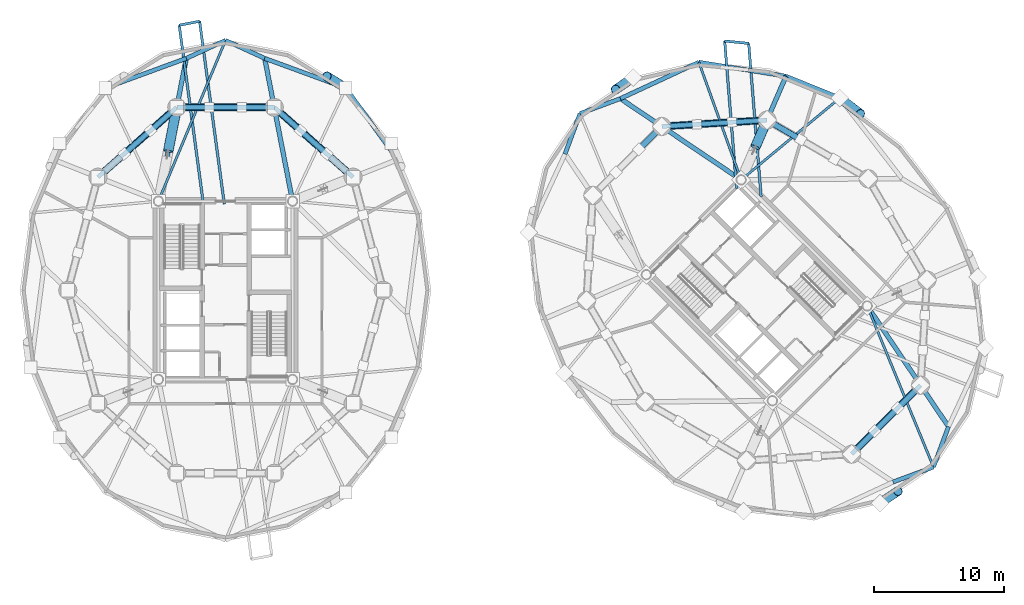
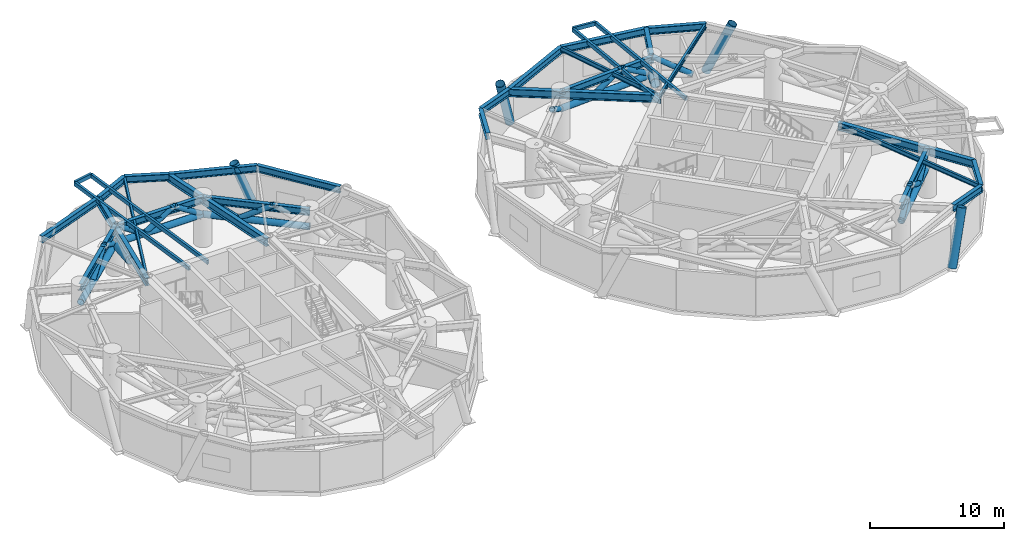
# One storey, part 4 of 16: 32 beams, 26 members.
"""IFC4 building model written with IfcOpenShell, lengths in metres."""

from ifc_helpers import new_model, si_unit, direction, frame, origin, origin_2d, place, context, subcontext, project, spatial, hollow_rectangle, hollow_circle, i_section, extrude, material, material_profile, profile_set, type_object, element, save


model = new_model("IFC4")

# Units and contexts
model_context = context("Model", 3, precision=1e-05, world=origin(), true_north=direction((0.0, 1.0)))
body_context = subcontext(model_context, "Body", "Model", "MODEL_VIEW")
ifc_project = project(units=[si_unit("LENGTHUNIT", "METRE"), si_unit("AREAUNIT", "SQUARE_METRE"), si_unit("VOLUMEUNIT", "CUBIC_METRE"), si_unit("PLANEANGLEUNIT", "RADIAN"), si_unit("MASSUNIT", "GRAM", prefix="KILO")], contexts=[model_context])

# Site, building, storey
site_placement = place(None, origin())
site = spatial("IfcSite", under=ifc_project, at=site_placement, CompositionType="ELEMENT")
building_placement = place(site_placement, origin())
building = spatial("IfcBuilding", under=site, at=building_placement, Name="Cununo Teusaquillo Station Towers", CompositionType="ELEMENT")
storey_placement = place(building_placement, frame((0.0, 0.0, 65.64990234375)))
storey = spatial("IfcBuildingStorey", under=building, at=storey_placement, Name="L20", CompositionType="ELEMENT", Elevation=65.64990234375)

# Beams
ifc_material_1 = material(Name="Steel EN 10025-2 S355J2", Category="steel")
ifc_material_profile_1 = material_profile(ifc_material_1, hollow_rectangle(XDim=0.199951171875, YDim=0.35009765625, WallThickness=0.013916015625, at=origin_2d()), Name="RHS 350x200x14")
ifc_profile_set_1 = profile_set([ifc_material_profile_1], Name="Steel EN 10025-2 S355J2")
beam_type_1 = type_object("IfcBeamType", Name="BM-BAL-CANT", PredefinedType="BEAM", material=ifc_profile_set_1)
beam_1_placement = place(storey_placement, frame((16.40869140625, 31.14990234375, 4.085205078125), z_axis=(-0.133936551357, 0.990989909237, 0.0), x_axis=(-0.990989909237, -0.133936551357, 0.0)))
element("IfcBeam", 1, at=beam_1_placement, inside=storey, type_object=beam_type_1, Name="L20 Tower A Balcony Cantilever Bracket 1A", PredefinedType="BEAM", context=body_context, shape_type="SweptSolid", body=[
    extrude(hollow_rectangle(XDim=0.199951171875, YDim=0.35009765625, WallThickness=0.013916015625, at=origin_2d()), origin(), (0.0, 0.0, 1.0), 14.24169921875),
])
beam_2_placement = place(storey_placement, frame((14.793701171875, 31.14990234375, 4.085205078125), z_axis=(-0.133960678738, 0.990986648019, 0.0), x_axis=(-0.990986648019, -0.133960678738, 0.0)))
element("IfcBeam", 2, at=beam_2_placement, inside=storey, type_object=beam_type_1, Name="L20 Tower A Balcony Cantilever Bracket 1B", PredefinedType="BEAM", context=body_context, shape_type="SweptSolid", body=[
    extrude(hollow_rectangle(XDim=0.199951171875, YDim=0.35009765625, WallThickness=0.013916015625, at=origin_2d()), origin(), (0.0, 0.0, 1.0), 13.9345703125),
])
beam_3_placement = place(storey_placement, frame((57.835205078125, 31.73095703125, 4.085205078125), z_axis=(-0.080635166538, 0.996743683159, 0.0), x_axis=(-0.996743683159, -0.080635166538, 0.0)))
element("IfcBeam", 3, at=beam_3_placement, inside=storey, type_object=beam_type_1, Name="L20 Tower B Balcony Cantilever Bracket 1A", PredefinedType="BEAM", context=body_context, shape_type="SweptSolid", body=[
    extrude(hollow_rectangle(XDim=0.199951171875, YDim=0.35009765625, WallThickness=0.013916015625, at=origin_2d()), origin(), (0.0, 0.0, 1.0), 11.862548828125),
])
beam_4_placement = place(storey_placement, frame((55.945068359375, 32.349609375, 4.085205078125), z_axis=(-0.080615645749, 0.996745262171, 0.0), x_axis=(-0.996745262171, -0.080615645749, 0.0)))
element("IfcBeam", 4, at=beam_4_placement, inside=storey, type_object=beam_type_1, Name="L20 Tower B Balcony Cantilever Bracket 1B", PredefinedType="BEAM", context=body_context, shape_type="SweptSolid", body=[
    extrude(hollow_rectangle(XDim=0.199951171875, YDim=0.35009765625, WallThickness=0.013916015625, at=origin_2d()), origin(), (0.0, 0.0, 1.0), 11.42626953125),
])
ifc_material_2 = material(Name="Steel ASTM A572 Grade 50", Category="steel")
ifc_material_profile_2 = material_profile(ifc_material_2, i_section(OverallWidth=0.180908203125, OverallDepth=0.4169921875, WebThickness=0.010986328125, FlangeThickness=0.018310546875, FilletRadius=0.012939453125, at=origin_2d()), Name="W16X57")
ifc_profile_set_2 = profile_set([ifc_material_profile_2], Name="Steel ASTM A572 Grade 50")
beam_type_2 = type_object("IfcBeamType", Name="BM-JOIST-1", PredefinedType="JOIST", material=ifc_profile_set_2)
beam_5_placement = place(storey_placement, frame((11.324951171875, 31.3798828125, 4.051513671875), z_axis=(0.38487837995, 0.922967297713, 0.0), x_axis=(-0.922967297713, 0.38487837995, 0.0)))
element("IfcBeam", 5, at=beam_5_placement, inside=storey, type_object=beam_type_2, Name="L20 Tower A Radial Spandrel Joist V05", PredefinedType="JOIST", context=body_context, shape_type="SweptSolid", body=[
    extrude(i_section(OverallWidth=0.180908203125, OverallDepth=0.4169921875, WebThickness=0.010986328125, FlangeThickness=0.018310546875, FilletRadius=0.012939453125, at=origin_2d()), origin(), (0.0, 0.0, 1.0), 13.446044921875),
])
beam_6_placement = place(storey_placement, frame((56.29443359375, 33.024169921875, 4.051513671875), z_axis=(0.769727799615, 0.638372238196, 0.0), x_axis=(-0.638372238196, 0.769727799615, 0.0)))
element("IfcBeam", 6, at=beam_6_placement, inside=storey, type_object=beam_type_2, Name="L20 Tower B Radial Spandrel Joist V01", PredefinedType="JOIST", context=body_context, shape_type="SweptSolid", body=[
    extrude(i_section(OverallWidth=0.180908203125, OverallDepth=0.4169921875, WebThickness=0.010986328125, FlangeThickness=0.018310546875, FilletRadius=0.012939453125, at=origin_2d()), origin(), (0.0, 0.0, 1.0), 9.895263671875),
])
beam_7_placement = place(storey_placement, frame((56.29443359375, 33.024169921875, 4.051513671875), z_axis=(-0.338176312038, 0.941082771055, 0.0), x_axis=(-0.941082771055, -0.338176312038, 0.0)))
element("IfcBeam", 7, at=beam_7_placement, inside=storey, type_object=beam_type_2, Name="L20 Tower B Radial Spandrel Joist V03", PredefinedType="JOIST", context=body_context, shape_type="SweptSolid", body=[
    extrude(i_section(OverallWidth=0.180908203125, OverallDepth=0.4169921875, WebThickness=0.010986328125, FlangeThickness=0.018310546875, FilletRadius=0.012939453125, at=origin_2d()), origin(), (0.0, 0.0, 1.0), 9.646484375),
])
beam_8_placement = place(storey_placement, frame((66.024169921875, 23.29443359375, 4.051513671875), z_axis=(0.380485864505, -0.924786735908, 0.0), x_axis=(0.924786735908, 0.380485864505, 0.0)))
element("IfcBeam", 8, at=beam_8_placement, inside=storey, type_object=beam_type_2, Name="L20 Tower B Radial Spandrel Joist V15", PredefinedType="JOIST", context=body_context, shape_type="SweptSolid", body=[
    extrude(i_section(OverallWidth=0.180908203125, OverallDepth=0.4169921875, WebThickness=0.010986328125, FlangeThickness=0.018310546875, FilletRadius=0.012939453125, at=origin_2d()), origin(), (0.0, 0.0, 1.0), 13.44580078125),
])
ifc_material_3 = material(Name="Steel ASTM A572 Grade 50", Category="steel")
ifc_material_profile_3 = material_profile(ifc_material_3, i_section(OverallWidth=0.35498046875, OverallDepth=0.696044921875, WebThickness=0.015380859375, FlangeThickness=0.02490234375, FilletRadius=0.01806640625, at=origin_2d()), Name="W27X146")
ifc_profile_set_3 = profile_set([ifc_material_profile_3], Name="Steel ASTM A572 Grade 50")
beam_type_3 = type_object("IfcBeamType", Name="BM-PLNT-G1", PredefinedType="BEAM", material=ifc_profile_set_3)
for number, where, z_axis, x_axis, name in (
    (9, (21.675048828125, 31.3798828125, 3.912109375), (-0.191552755713, 0.981482318628, 0.0), (-0.981482318628, -0.191552755713, 0.0), "L20 Tower A Continuous Overhanging Radial Girder 03"),
    (10, (11.324951171875, 31.3798828125, 3.912109375), (0.191552755713, 0.981482318628, 0.0), (-0.981482318628, 0.191552755713, 0.0), "L20 Tower A Continuous Overhanging Radial Girder 04"),
):
    element("IfcBeam", number, at=place(storey_placement, frame(where, z_axis=z_axis, x_axis=x_axis)), inside=storey, type_object=beam_type_3, Name=name, PredefinedType="BEAM", context=body_context, shape_type="SweptSolid", body=[
        extrude(i_section(OverallWidth=0.35498046875, OverallDepth=0.696044921875, WebThickness=0.015380859375, FlangeThickness=0.02490234375, FilletRadius=0.01806640625, at=origin_2d()), origin(), (0.0, 0.0, 1.0), 11.22998046875),
    ])
beam_9_placement = place(storey_placement, frame((58.291015625, 37.63525390625, 3.912109375), z_axis=(0.397421761279, 0.917636062751, 0.0), x_axis=(-0.917636062751, 0.397421761279, 0.0)))
element("IfcBeam", 11, at=beam_9_placement, inside=storey, type_object=beam_type_3, Name="L20 Tower B Perimeter Overhang Girder 02B", PredefinedType="BEAM", context=body_context, shape_type="SweptSolid", body=[
    extrude(i_section(OverallWidth=0.35498046875, OverallDepth=0.696044921875, WebThickness=0.015380859375, FlangeThickness=0.02490234375, FilletRadius=0.01806640625, at=origin_2d()), origin(), (0.0, 0.0, 1.0), 3.690185546875),
])
for number, where, z_axis, x_axis, name in (
    (12, (56.29443359375, 33.024169921875, 3.912109375), (-0.82945583878, 0.558572297481, 0.0), (-0.558572297481, -0.82945583878, 0.0), "L20 Tower B Continuous Overhanging Radial Girder 03"),
    (13, (66.024169921875, 23.29443359375, 3.912109375), (0.558572297481, -0.82945583878, 0.0), (0.82945583878, 0.558572297481, 0.0), "L20 Tower B Continuous Overhanging Radial Girder 09"),
):
    element("IfcBeam", number, at=place(storey_placement, frame(where, z_axis=z_axis, x_axis=x_axis)), inside=storey, type_object=beam_type_3, Name=name, PredefinedType="BEAM", context=body_context, shape_type="SweptSolid", body=[
        extrude(i_section(OverallWidth=0.35498046875, OverallDepth=0.696044921875, WebThickness=0.015380859375, FlangeThickness=0.02490234375, FilletRadius=0.01806640625, at=origin_2d()), origin(), (0.0, 0.0, 1.0), 11.22998046875),
    ])
ifc_material_4 = material(Name="Steel ASTM A572 Grade 50", Category="steel")
ifc_material_profile_4 = material_profile(ifc_material_4, i_section(OverallWidth=0.324951171875, OverallDepth=0.615966796875, WebThickness=0.013916015625, FlangeThickness=0.021484375, FilletRadius=0.01611328125, at=origin_2d()), Name="W24X117")
ifc_profile_set_4 = profile_set([ifc_material_profile_4], Name="Steel ASTM A572 Grade 50")
beam_type_4 = type_object("IfcBeamType", Name="BM-PLNT-G2", PredefinedType="BEAM", material=ifc_profile_set_4)
beam_10_placement = place(storey_placement, frame((26.347412109375, 33.228515625, 3.9521484375), z_axis=(-0.74832120039, 0.66333655187, 0.0), x_axis=(-0.66333655187, -0.74832120039, 0.0)))
element("IfcBeam", 14, at=beam_10_placement, inside=storey, type_object=beam_type_4, Name="L20 Tower A Structural Column Ring Girder 02", PredefinedType="BEAM", context=body_context, shape_type="SweptSolid", body=[
    extrude(i_section(OverallWidth=0.324951171875, OverallDepth=0.615966796875, WebThickness=0.013916015625, FlangeThickness=0.021484375, FilletRadius=0.01611328125, at=origin_2d()), origin(), (0.0, 0.0, 1.0), 8.1328125),
])
beam_11_placement = place(storey_placement, frame((20.261474609375, 38.623291015625, 3.9521484375), z_axis=(-1.0, 0.0, 0.0), x_axis=(0.0, -1.0, 0.0)))
element("IfcBeam", 15, at=beam_11_placement, inside=storey, type_object=beam_type_4, Name="L20 Tower A Structural Column Ring Girder 03", PredefinedType="BEAM", context=body_context, shape_type="SweptSolid", body=[
    extrude(i_section(OverallWidth=0.324951171875, OverallDepth=0.615966796875, WebThickness=0.013916015625, FlangeThickness=0.021484375, FilletRadius=0.01611328125, at=origin_2d()), origin(), (0.0, 0.0, 1.0), 7.52294921875),
])
beam_12_placement = place(storey_placement, frame((12.738525390625, 38.623291015625, 3.9521484375), z_axis=(-0.74832120039, -0.66333655187, 0.0), x_axis=(0.66333655187, -0.74832120039, 0.0)))
element("IfcBeam", 16, at=beam_12_placement, inside=storey, type_object=beam_type_4, Name="L20 Tower A Structural Column Ring Girder 04", PredefinedType="BEAM", context=body_context, shape_type="SweptSolid", body=[
    extrude(i_section(OverallWidth=0.324951171875, OverallDepth=0.615966796875, WebThickness=0.013916015625, FlangeThickness=0.021484375, FilletRadius=0.01611328125, at=origin_2d()), origin(), (0.0, 0.0, 1.0), 8.1328125),
])
beam_13_placement = place(storey_placement, frame((29.77880859375, 34.586181640625, 3.9521484375), z_axis=(-0.58594455724, 0.810351143543, 0.0), x_axis=(-0.810351143543, -0.58594455724, 0.0)))
element("IfcBeam", 17, at=beam_13_placement, inside=storey, type_object=beam_type_4, Name="L20 Tower A Spandrel Ring Beam 03", PredefinedType="BEAM", context=body_context, shape_type="SweptSolid", body=[
    extrude(i_section(OverallWidth=0.324951171875, OverallDepth=0.615966796875, WebThickness=0.013916015625, FlangeThickness=0.021484375, FilletRadius=0.01611328125, at=origin_2d()), origin(), (0.0, 0.0, 1.0), 6.8115234375),
])
beam_14_placement = place(storey_placement, frame((25.78759765625, 40.10595703125, 3.9521484375), z_axis=(-0.938914161016, 0.34415141761, 0.0), x_axis=(-0.34415141761, -0.938914161016, 0.0)))
element("IfcBeam", 18, at=beam_14_placement, inside=storey, type_object=beam_type_4, Name="L20 Tower A Spandrel Ring Beam 04", PredefinedType="BEAM", context=body_context, shape_type="SweptSolid", body=[
    extrude(i_section(OverallWidth=0.324951171875, OverallDepth=0.615966796875, WebThickness=0.013916015625, FlangeThickness=0.021484375, FilletRadius=0.01611328125, at=origin_2d()), origin(), (0.0, 0.0, 1.0), 6.671142578125),
])
for number, where, z_axis, x_axis, name in (
    (19, (19.52392578125, 42.40185546875, 3.9521484375), (-0.908812215281, 0.417205413862, 0.0), (-0.417205413862, -0.908812215281, 0.0), "L20 Tower A Spandrel Ring Beam 05"),
    (20, (16.5, 43.7900390625, 3.9521484375), (-0.908812215281, -0.417205413862, 0.0), (0.417205413862, -0.908812215281, 0.0), "L20 Tower A Spandrel Ring Beam 06"),
):
    element("IfcBeam", number, at=place(storey_placement, frame(where, z_axis=z_axis, x_axis=x_axis)), inside=storey, type_object=beam_type_4, Name=name, PredefinedType="BEAM", context=body_context, shape_type="SweptSolid", body=[
        extrude(i_section(OverallWidth=0.324951171875, OverallDepth=0.615966796875, WebThickness=0.013916015625, FlangeThickness=0.021484375, FilletRadius=0.01611328125, at=origin_2d()), origin(), (0.0, 0.0, 1.0), 3.327392578125),
    ])
beam_15_placement = place(storey_placement, frame((13.47607421875, 42.40185546875, 3.9521484375), z_axis=(-0.938914161016, -0.34415141761, 0.0), x_axis=(0.34415141761, -0.938914161016, 0.0)))
element("IfcBeam", 21, at=beam_15_placement, inside=storey, type_object=beam_type_4, Name="L20 Tower A Spandrel Ring Beam 07", PredefinedType="BEAM", context=body_context, shape_type="SweptSolid", body=[
    extrude(i_section(OverallWidth=0.324951171875, OverallDepth=0.615966796875, WebThickness=0.013916015625, FlangeThickness=0.021484375, FilletRadius=0.01611328125, at=origin_2d()), origin(), (0.0, 0.0, 1.0), 6.671142578125),
])
beam_16_placement = place(storey_placement, frame((58.291015625, 37.63525390625, 3.9521484375), z_axis=(-0.998190567048, -0.06012979176, 0.0), x_axis=(0.06012979176, -0.998190567048, 0.0)))
element("IfcBeam", 22, at=beam_16_placement, inside=storey, type_object=beam_type_4, Name="L20 Tower B Structural Column Ring Girder 02", PredefinedType="BEAM", context=body_context, shape_type="SweptSolid", body=[
    extrude(i_section(OverallWidth=0.324951171875, OverallDepth=0.615966796875, WebThickness=0.013916015625, FlangeThickness=0.021484375, FilletRadius=0.01611328125, at=origin_2d()), origin(), (0.0, 0.0, 1.0), 8.132568359375),
])
beam_17_placement = place(storey_placement, frame((64.826904296875, 11.853759765625, 3.9521484375), z_axis=(0.707106781187, 0.707106781187, 0.0), x_axis=(-0.707106781187, 0.707106781187, 0.0)))
element("IfcBeam", 23, at=beam_17_placement, inside=storey, type_object=beam_type_4, Name="L20 Tower B Structural Column Ring Girder 08", PredefinedType="BEAM", context=body_context, shape_type="SweptSolid", body=[
    extrude(i_section(OverallWidth=0.324951171875, OverallDepth=0.615966796875, WebThickness=0.013916015625, FlangeThickness=0.021484375, FilletRadius=0.01611328125, at=origin_2d()), origin(), (0.0, 0.0, 1.0), 7.522705078125),
])
beam_18_placement = place(storey_placement, frame((63.9111328125, 39.341064453125, 3.9521484375), z_axis=(-0.927007712072, 0.375042266631, 0.0), x_axis=(-0.375042266631, -0.927007712072, 0.0)))
element("IfcBeam", 24, at=beam_18_placement, inside=storey, type_object=beam_type_4, Name="L20 Tower B Spandrel Ring Beam 02", PredefinedType="BEAM", context=body_context, shape_type="SweptSolid", body=[
    extrude(i_section(OverallWidth=0.324951171875, OverallDepth=0.615966796875, WebThickness=0.013916015625, FlangeThickness=0.021484375, FilletRadius=0.01611328125, at=origin_2d()), origin(), (0.0, 0.0, 1.0), 4.480712890625),
])
beam_19_placement = place(storey_placement, frame((59.757568359375, 41.021484375, 3.9521484375), z_axis=(-0.987331474246, 0.158671232312, 0.0), x_axis=(-0.158671232312, -0.987331474246, 0.0)))
element("IfcBeam", 25, at=beam_19_placement, inside=storey, type_object=beam_type_4, Name="L20 Tower B Spandrel Ring Beam 03", PredefinedType="BEAM", context=body_context, shape_type="SweptSolid", body=[
    extrude(i_section(OverallWidth=0.324951171875, OverallDepth=0.615966796875, WebThickness=0.013916015625, FlangeThickness=0.021484375, FilletRadius=0.01611328125, at=origin_2d()), origin(), (0.0, 0.0, 1.0), 6.8115234375),
])
beam_20_placement = place(storey_placement, frame((53.0322265625, 42.102294921875, 3.9521484375), z_axis=(-0.907275870354, -0.420535961689, 0.0), x_axis=(0.420535961689, -0.907275870354, 0.0)))
element("IfcBeam", 26, at=beam_20_placement, inside=storey, type_object=beam_type_4, Name="L20 Tower B Spandrel Ring Beam 04", PredefinedType="BEAM", context=body_context, shape_type="SweptSolid", body=[
    extrude(i_section(OverallWidth=0.324951171875, OverallDepth=0.615966796875, WebThickness=0.013916015625, FlangeThickness=0.021484375, FilletRadius=0.01611328125, at=origin_2d()), origin(), (0.0, 0.0, 1.0), 6.671142578125),
])
for number, where, z_axis, x_axis, name in (
    (27, (46.979736328125, 39.296875, 3.9521484375), (-0.937628334414, -0.347639333943, 0.0), (0.347639333943, -0.937628334414, 0.0), "L20 Tower B Spandrel Ring Beam 05"),
    (28, (43.85986328125, 38.14013671875, 3.9521484375), (-0.347639333943, -0.937628334414, 0.0), (0.937628334414, -0.347639333943, 0.0), "L20 Tower B Spandrel Ring Beam 06"),
    (29, (68.020263671875, 9.703125, 3.9521484375), (0.937628334414, 0.347639333943, 0.0), (-0.347639333943, 0.937628334414, 0.0), "L20 Tower B Spandrel Ring Beam 15"),
    (30, (71.14013671875, 10.85986328125, 3.9521484375), (0.347639333943, 0.937628334414, 0.0), (-0.937628334414, 0.347639333943, 0.0), "L20 Tower B Spandrel Ring Beam 16"),
):
    element("IfcBeam", number, at=place(storey_placement, frame(where, z_axis=z_axis, x_axis=x_axis)), inside=storey, type_object=beam_type_4, Name=name, PredefinedType="BEAM", context=body_context, shape_type="SweptSolid", body=[
        extrude(i_section(OverallWidth=0.324951171875, OverallDepth=0.615966796875, WebThickness=0.013916015625, FlangeThickness=0.021484375, FilletRadius=0.01611328125, at=origin_2d()), origin(), (0.0, 0.0, 1.0), 3.327392578125),
    ])
ifc_material_5 = material(Name="Steel EN 10025-2 S355J2", Category="steel")
ifc_material_profile_5 = material_profile(ifc_material_5, hollow_rectangle(XDim=0.199951171875, YDim=0.35009765625, WallThickness=0.013916015625, at=origin_2d()), Name="RHS 350x200x14")
ifc_profile_set_5 = profile_set([ifc_material_profile_5], Name="Steel EN 10025-2 S355J2")
beam_type_5 = type_object("IfcBeamType", Name="BM-STAIR-TRIM", PredefinedType="BEAM", material=ifc_profile_set_5)
beam_21_placement = place(storey_placement, frame((14.501220703125, 45.26318359375, 4.114990234375), z_axis=(-0.981836621572, -0.189728354603, 0.0), x_axis=(0.189728354603, -0.981836621572, 0.0)))
element("IfcBeam", 31, at=beam_21_placement, inside=storey, type_object=beam_type_5, Name="L20 Tower A Balcony Edge Trimmer Beam 1", PredefinedType="BEAM", context=body_context, shape_type="SweptSolid", body=[
    extrude(hollow_rectangle(XDim=0.199951171875, YDim=0.35009765625, WallThickness=0.013916015625, at=origin_2d()), origin(), (0.0, 0.0, 1.0), 1.603271484375),
])
beam_22_placement = place(storey_placement, frame((56.878662109375, 43.554931640625, 4.114990234375), z_axis=(-0.995123704518, 0.098634743912, 0.0), x_axis=(-0.098634743912, -0.995123704518, 0.0)))
element("IfcBeam", 32, at=beam_22_placement, inside=storey, type_object=beam_type_5, Name="L20 Tower B Balcony Edge Trimmer Beam 1", PredefinedType="BEAM", context=body_context, shape_type="SweptSolid", body=[
    extrude(hollow_rectangle(XDim=0.199951171875, YDim=0.35009765625, WallThickness=0.013916015625, at=origin_2d()), origin(), (0.0, 0.0, 1.0), 1.86376953125),
])

# Members
ifc_material_6 = material(Name="Steel EN 10025-2 S355J2", Category="steel")
ifc_material_profile_6 = material_profile(ifc_material_6, hollow_circle(Radius=0.279541015625, WallThickness=0.02001953125, at=origin_2d()), Name="CHS 559x20")
ifc_profile_set_6 = profile_set([ifc_material_profile_6], Name="Steel EN 10025-2 S355J2")
member_type_1 = type_object("IfcMemberType", Name="MBR-BELT-CH", PredefinedType="CHORD", material=ifc_profile_set_6)
member_1_placement = place(storey_placement, frame((26.347412109375, 33.228515625, 2.580078125), z_axis=(-0.74832120039, 0.66333655187, 0.0), x_axis=(-0.66333655187, -0.74832120039, 0.0)))
element("IfcMember", 33, at=member_1_placement, inside=storey, type_object=member_type_1, Name="L20 Tower A Belt Truss Lower Chord 02", PredefinedType="CHORD", context=body_context, shape_type="SweptSolid", body=[
    extrude(hollow_circle(Radius=0.279541015625, WallThickness=0.02001953125, at=origin_2d()), origin(), (0.0, 0.0, 1.0), 8.1328125),
])
member_2_placement = place(storey_placement, frame((20.261474609375, 38.623291015625, 2.580078125), z_axis=(-1.0, 0.0, 0.0), x_axis=(0.0, -1.0, 0.0)))
element("IfcMember", 34, at=member_2_placement, inside=storey, type_object=member_type_1, Name="L20 Tower A Belt Truss Lower Chord 03", PredefinedType="CHORD", context=body_context, shape_type="SweptSolid", body=[
    extrude(hollow_circle(Radius=0.279541015625, WallThickness=0.02001953125, at=origin_2d()), origin(), (0.0, 0.0, 1.0), 7.52294921875),
])
member_3_placement = place(storey_placement, frame((12.738525390625, 38.623291015625, 2.580078125), z_axis=(-0.74832120039, -0.66333655187, 0.0), x_axis=(0.66333655187, -0.74832120039, 0.0)))
element("IfcMember", 35, at=member_3_placement, inside=storey, type_object=member_type_1, Name="L20 Tower A Belt Truss Lower Chord 04", PredefinedType="CHORD", context=body_context, shape_type="SweptSolid", body=[
    extrude(hollow_circle(Radius=0.279541015625, WallThickness=0.02001953125, at=origin_2d()), origin(), (0.0, 0.0, 1.0), 8.1328125),
])
member_4_placement = place(storey_placement, frame((58.291015625, 37.63525390625, 2.580078125), z_axis=(-0.998190567048, -0.06012979176, 0.0), x_axis=(0.06012979176, -0.998190567048, 0.0)))
element("IfcMember", 36, at=member_4_placement, inside=storey, type_object=member_type_1, Name="L20 Tower B Belt Truss Lower Chord 02", PredefinedType="CHORD", context=body_context, shape_type="SweptSolid", body=[
    extrude(hollow_circle(Radius=0.279541015625, WallThickness=0.02001953125, at=origin_2d()), origin(), (0.0, 0.0, 1.0), 8.132568359375),
])
member_5_placement = place(storey_placement, frame((64.826904296875, 11.853759765625, 2.580078125), z_axis=(0.707106781187, 0.707106781187, 0.0), x_axis=(-0.707106781187, 0.707106781187, 0.0)))
element("IfcMember", 37, at=member_5_placement, inside=storey, type_object=member_type_1, Name="L20 Tower B Belt Truss Lower Chord 08", PredefinedType="CHORD", context=body_context, shape_type="SweptSolid", body=[
    extrude(hollow_circle(Radius=0.279541015625, WallThickness=0.02001953125, at=origin_2d()), origin(), (0.0, 0.0, 1.0), 7.522705078125),
])
ifc_material_7 = material(Name="Steel EN 10025-2 S355J2", Category="steel")
ifc_material_profile_7 = material_profile(ifc_material_7, hollow_circle(Radius=0.228515625, WallThickness=0.01611328125, at=origin_2d()), Name="CHS 457x16")
ifc_profile_set_7 = profile_set([ifc_material_profile_7], Name="Steel EN 10025-2 S355J2")
member_type_2 = type_object("IfcMemberType", Name="MBR-BELT-WB", PredefinedType="BRACE", material=ifc_profile_set_7)
member_6_placement = place(storey_placement, frame((24.318603515625, 35.02685546875, 4.18017578125), z_axis=(-0.644442390701, 0.571226165305, -0.508325361494), x_axis=(-0.663317831046, -0.748337794727, 0.0)))
element("IfcMember", 38, at=member_6_placement, inside=storey, type_object=member_type_2, Name="L20 Tower A Belt Truss Warren Brace 02B", PredefinedType="BRACE", context=body_context, shape_type="SweptSolid", body=[
    extrude(hollow_circle(Radius=0.228515625, WallThickness=0.01611328125, at=origin_2d()), origin(), (0.0, 0.0, 1.0), 3.147705078125),
])
member_7_placement = place(storey_placement, frame((22.2900390625, 36.824951171875, 2.580078125), z_axis=(-0.644413839252, 0.57127841376, 0.50830284059), x_axis=(-0.66336826295, -0.748293089445, 0.0)))
element("IfcMember", 39, at=member_7_placement, inside=storey, type_object=member_type_2, Name="L20 Tower A Belt Truss Warren Brace 02C", PredefinedType="BRACE", context=body_context, shape_type="SweptSolid", body=[
    extrude(hollow_circle(Radius=0.228515625, WallThickness=0.01611328125, at=origin_2d()), origin(), (0.0, 0.0, 1.0), 3.14794921875),
])
member_8_placement = place(storey_placement, frame((20.261474609375, 38.623291015625, 2.580078125), z_axis=(-0.842995063777, 0.0, 0.537921297634), x_axis=(0.0, -1.0, 0.0)))
element("IfcMember", 40, at=member_8_placement, inside=storey, type_object=member_type_2, Name="L20 Tower A Belt Truss Warren Brace 03A", PredefinedType="BRACE", context=body_context, shape_type="SweptSolid", body=[
    extrude(hollow_circle(Radius=0.228515625, WallThickness=0.01611328125, at=origin_2d()), origin(), (0.0, 0.0, 1.0), 2.974609375),
])
member_9_placement = place(storey_placement, frame((17.75390625, 38.623291015625, 4.18017578125), z_axis=(-0.843018810556, 0.0, -0.537884081424), x_axis=(0.0, -1.0, 0.0)))
element("IfcMember", 41, at=member_9_placement, inside=storey, type_object=member_type_2, Name="L20 Tower A Belt Truss Warren Brace 03B", PredefinedType="BRACE", context=body_context, shape_type="SweptSolid", body=[
    extrude(hollow_circle(Radius=0.228515625, WallThickness=0.01611328125, at=origin_2d()), origin(), (0.0, 0.0, 1.0), 2.974853515625),
])
member_10_placement = place(storey_placement, frame((15.24609375, 38.623291015625, 2.580078125), z_axis=(-0.842995063777, 0.0, 0.537921297634), x_axis=(0.0, -1.0, 0.0)))
element("IfcMember", 42, at=member_10_placement, inside=storey, type_object=member_type_2, Name="L20 Tower A Belt Truss Warren Brace 03C", PredefinedType="BRACE", context=body_context, shape_type="SweptSolid", body=[
    extrude(hollow_circle(Radius=0.228515625, WallThickness=0.01611328125, at=origin_2d()), origin(), (0.0, 0.0, 1.0), 2.974609375),
])
member_11_placement = place(storey_placement, frame((12.738525390625, 38.623291015625, 2.580078125), z_axis=(-0.644413839252, -0.57127841376, 0.50830284059), x_axis=(0.66336826295, -0.748293089445, 0.0)))
element("IfcMember", 43, at=member_11_placement, inside=storey, type_object=member_type_2, Name="L20 Tower A Belt Truss Warren Brace 04A", PredefinedType="BRACE", context=body_context, shape_type="SweptSolid", body=[
    extrude(hollow_circle(Radius=0.228515625, WallThickness=0.01611328125, at=origin_2d()), origin(), (0.0, 0.0, 1.0), 3.14794921875),
])
member_12_placement = place(storey_placement, frame((10.7099609375, 36.824951171875, 4.18017578125), z_axis=(-0.644442390701, -0.571226165305, -0.508325361494), x_axis=(0.663317831046, -0.748337794727, 0.0)))
element("IfcMember", 44, at=member_12_placement, inside=storey, type_object=member_type_2, Name="L20 Tower A Belt Truss Warren Brace 04B", PredefinedType="BRACE", context=body_context, shape_type="SweptSolid", body=[
    extrude(hollow_circle(Radius=0.228515625, WallThickness=0.01611328125, at=origin_2d()), origin(), (0.0, 0.0, 1.0), 3.147705078125),
])
member_13_placement = place(storey_placement, frame((60.896484375, 36.125732421875, 2.580078125), z_axis=(-0.764088930246, 0.442687580183, 0.469250266945), x_axis=(-0.501307909048, -0.865268964153, 0.0)))
element("IfcMember", 45, at=member_13_placement, inside=storey, type_object=member_type_2, Name="L20 Tower B Belt Truss Warren Brace 01C", PredefinedType="BRACE", context=body_context, shape_type="SweptSolid", body=[
    extrude(hollow_circle(Radius=0.228515625, WallThickness=0.01611328125, at=origin_2d()), origin(), (0.0, 0.0, 1.0), 3.409912109375),
])
member_14_placement = place(storey_placement, frame((58.291015625, 37.63525390625, 2.580078125), z_axis=(-0.859601901978, -0.051810346524, 0.508330854964), x_axis=(0.060163308645, -0.998188547466, 0.0)))
element("IfcMember", 46, at=member_14_placement, inside=storey, type_object=member_type_2, Name="L20 Tower B Belt Truss Warren Brace 02A", PredefinedType="BRACE", context=body_context, shape_type="SweptSolid", body=[
    extrude(hollow_circle(Radius=0.228515625, WallThickness=0.01611328125, at=origin_2d()), origin(), (0.0, 0.0, 1.0), 3.147705078125),
])
for number, where, z_axis, x_axis, name in (
    (47, (55.585205078125, 37.47216796875, 4.18017578125), (-0.859625601084, -0.051729544923, -0.508299006632), (0.060068168794, -0.998194277232, 0.0), "L20 Tower B Belt Truss Warren Brace 02B"),
    (48, (52.879150390625, 37.309326171875, 2.580078125), (-0.859622149777, -0.051806892462, 0.508296965864), (0.060157900347, -0.998188873423, 0.0), "L20 Tower B Belt Truss Warren Brace 02C"),
):
    element("IfcMember", number, at=place(storey_placement, frame(where, z_axis=z_axis, x_axis=x_axis)), inside=storey, type_object=member_type_2, Name=name, PredefinedType="BRACE", context=body_context, shape_type="SweptSolid", body=[
        extrude(hollow_circle(Radius=0.228515625, WallThickness=0.01611328125, at=origin_2d()), origin(), (0.0, 0.0, 1.0), 3.14794921875),
    ])
for number, where, z_axis, x_axis, name in (
    (49, (50.173095703125, 37.146240234375, 2.580078125), (-0.596123961974, -0.596041885152, 0.537931494807), (0.707058097461, -0.707155461561, 0.0), "L20 Tower B Belt Truss Warren Brace 03A"),
    (50, (64.826904296875, 11.853759765625, 2.580078125), (0.596123961974, 0.596041885152, 0.537931494807), (-0.707058097461, 0.707155461561, 0.0), "L20 Tower B Belt Truss Warren Brace 08A"),
    (51, (66.60009765625, 13.626708984375, 4.18017578125), (0.596094798993, 0.596094798993, -0.537905178659), (-0.707106781187, 0.707106781187, 0.0), "L20 Tower B Belt Truss Warren Brace 08B"),
    (52, (68.373291015625, 15.39990234375, 2.580078125), (0.596041885152, 0.596123961974, 0.537931494807), (-0.707155461561, 0.707058097461, 0.0), "L20 Tower B Belt Truss Warren Brace 08C"),
):
    element("IfcMember", number, at=place(storey_placement, frame(where, z_axis=z_axis, x_axis=x_axis)), inside=storey, type_object=member_type_2, Name=name, PredefinedType="BRACE", context=body_context, shape_type="SweptSolid", body=[
        extrude(hollow_circle(Radius=0.228515625, WallThickness=0.01611328125, at=origin_2d()), origin(), (0.0, 0.0, 1.0), 2.974609375),
    ])
ifc_material_8 = material(Name="Steel EN 10025-2 S355J2", Category="steel")
ifc_material_profile_8 = material_profile(ifc_material_8, hollow_circle(Radius=0.360107421875, WallThickness=0.028076171875, at=origin_2d()), Name="CHS 720x28")
ifc_profile_set_8 = profile_set([ifc_material_profile_8], Name="Steel EN 10025-2 S355J2")
member_type_3 = type_object("IfcMemberType", Name="MBR-DIAG-Z1", PredefinedType="BRACE", material=ifc_profile_set_8)
member_15_placement = place(storey_placement, frame((25.78759765625, 40.10595703125, -0.139892578125), z_axis=(-0.304569035114, 0.189456727696, 0.933458007187), x_axis=(-0.528195574716, -0.849122744278, 0.0)))
element("IfcMember", 53, at=member_15_placement, inside=storey, type_object=member_type_3, Name="L20 Tower A Folded-Zigzag Diagrid Tube C03", PredefinedType="BRACE", context=body_context, shape_type="SweptSolid", body=[
    extrude(hollow_circle(Radius=0.360107421875, WallThickness=0.028076171875, at=origin_2d()), origin(), (0.0, 0.0, 1.0), 4.82080078125),
])
member_16_placement = place(storey_placement, frame((63.9111328125, 39.341064453125, -0.139892578125), z_axis=(0.322210272471, -0.248212435708, 0.91354864516), x_axis=(0.610264182076, 0.792197972779, 0.0)))
element("IfcMember", 54, at=member_16_placement, inside=storey, type_object=member_type_3, Name="L20 Tower B Folded-Zigzag Diagrid Tube C00", PredefinedType="BRACE", context=body_context, shape_type="SweptSolid", body=[
    extrude(hollow_circle(Radius=0.360107421875, WallThickness=0.028076171875, at=origin_2d()), origin(), (0.0, 0.0, 1.0), 4.92578125),
])
for number, where, z_axis, x_axis, name in (
    (55, (47.980224609375, 40.92529296875, -0.139892578125), (-0.286410287557, -0.193604394521, 0.938342413836), (0.560024081213, -0.828476329452, 0.0), "L20 Tower B Folded-Zigzag Diagrid Tube C04"),
    (56, (67.019775390625, 8.07470703125, -0.139892578125), (0.286410287557, 0.193604394521, 0.938342413836), (-0.560024081213, 0.828476329452, 0.0), "L20 Tower B Folded-Zigzag Diagrid Tube C14"),
):
    element("IfcMember", number, at=place(storey_placement, frame(where, z_axis=z_axis, x_axis=x_axis)), inside=storey, type_object=member_type_3, Name=name, PredefinedType="BRACE", context=body_context, shape_type="SweptSolid", body=[
        extrude(hollow_circle(Radius=0.360107421875, WallThickness=0.028076171875, at=origin_2d()), origin(), (0.0, 0.0, 1.0), 4.795654296875),
    ])
ifc_material_9 = material(Name="Steel EN 10025-2 S355J2", Category="steel")
ifc_material_profile_9 = material_profile(ifc_material_9, hollow_circle(Radius=0.3798828125, WallThickness=0.031982421875, at=origin_2d()), Name="CHS 760x32")
ifc_profile_set_9 = profile_set([ifc_material_profile_9], Name="Steel EN 10025-2 S355J2")
member_type_4 = type_object("IfcMemberType", Name="MBR-OUTR-1", PredefinedType="STRUT", material=ifc_profile_set_9)
member_17_placement = place(storey_placement, frame((12.07666015625, 35.231689453125, 3.3291015625), z_axis=(0.18718831311, 0.959210640255, -0.211838341801), x_axis=(-0.981485733178, 0.191535259332, 0.0)))
element("IfcMember", 57, at=member_17_placement, inside=storey, type_object=member_type_4, Name="L20 Tower A Outrigger Split Lower Strut 1B2", PredefinedType="STRUT", context=body_context, shape_type="SweptSolid", body=[
    extrude(hollow_circle(Radius=0.3798828125, WallThickness=0.031982421875, at=origin_2d()), origin(), (0.0, 0.0, 1.0), 3.535888671875),
])
member_18_placement = place(storey_placement, frame((57.383544921875, 35.53955078125, 3.307373046875), z_axis=(0.378624789791, 0.874392035396, -0.30344989206), x_axis=(-0.917662196117, 0.397361414605, 0.0)))
element("IfcMember", 58, at=member_18_placement, inside=storey, type_object=member_type_4, Name="L20 Tower B Outrigger Split Lower Strut 2B2", PredefinedType="STRUT", context=body_context, shape_type="SweptSolid", body=[
    extrude(hollow_circle(Radius=0.3798828125, WallThickness=0.031982421875, at=origin_2d()), origin(), (0.0, 0.0, 1.0), 2.396728515625),
])

save(model, "model.ifc")
